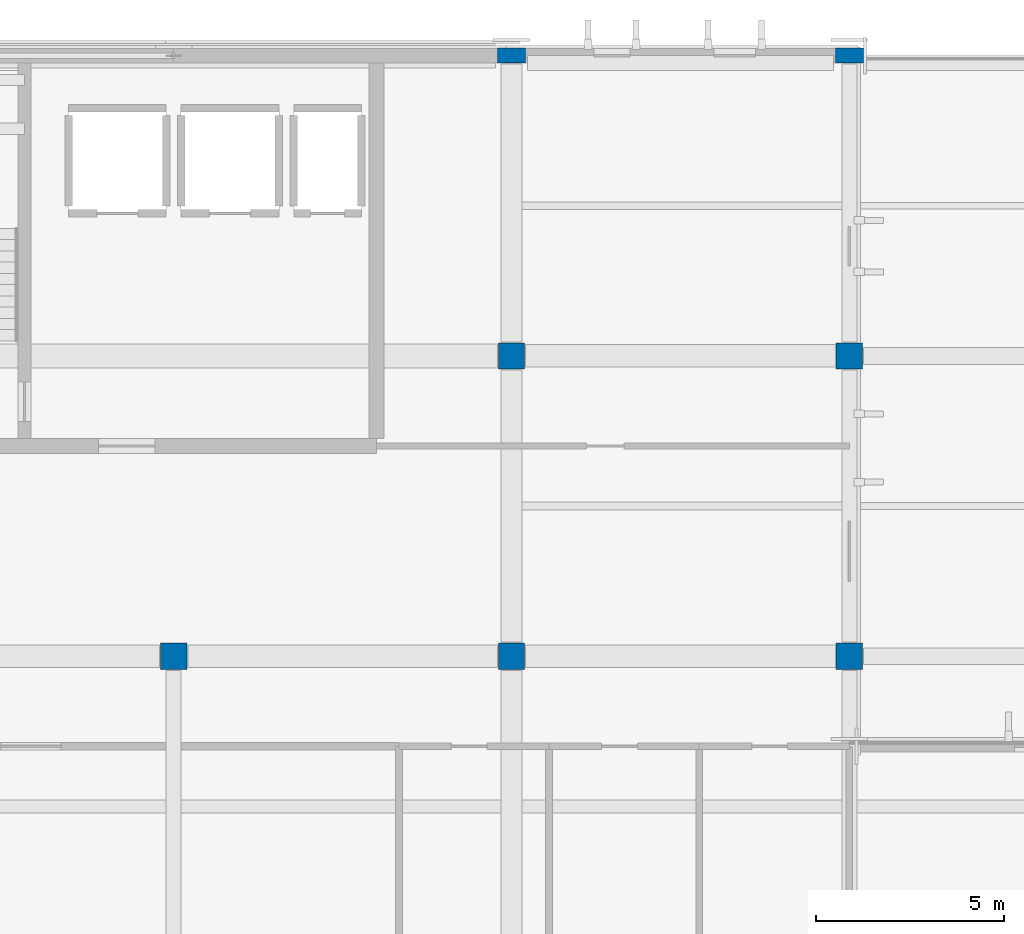
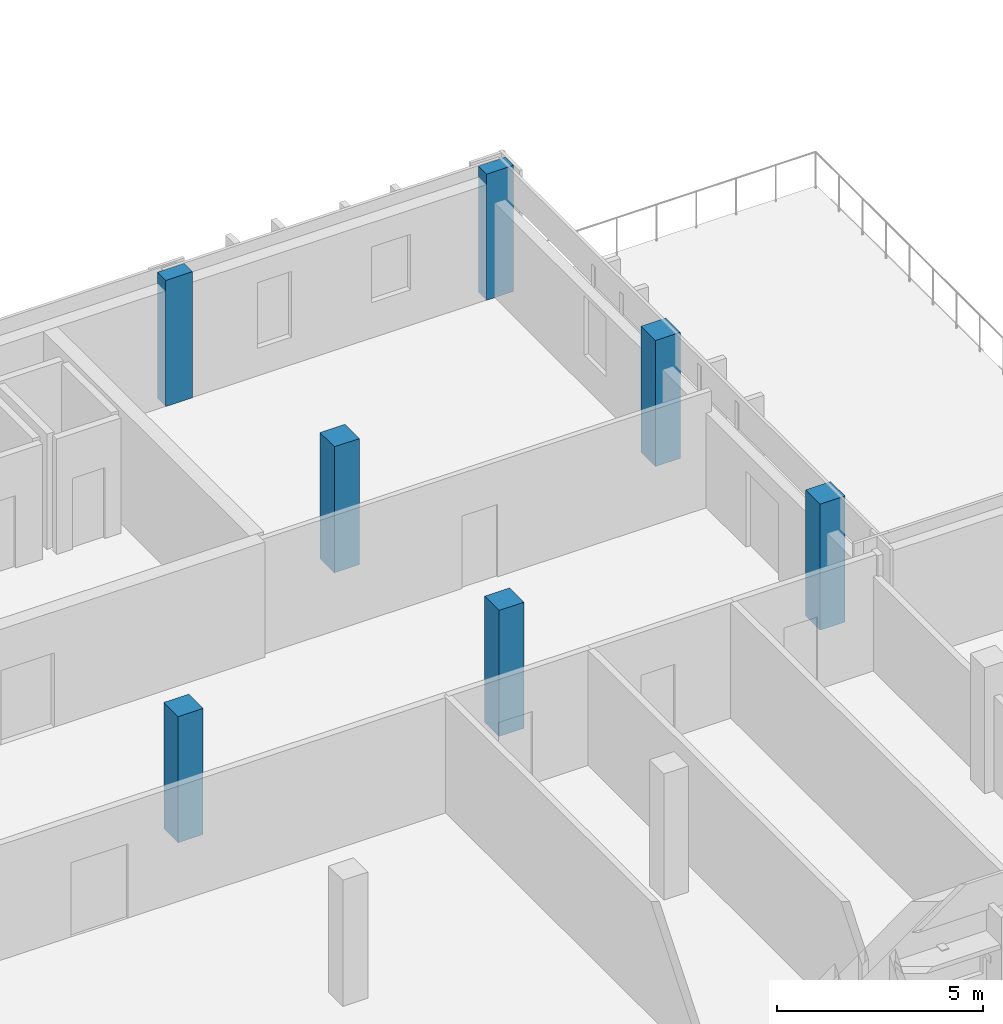
# One storey, part 7 of 73: 7 columns.
"""IFC4 building model written with IfcOpenShell, lengths in metres."""

from ifc_helpers import new_model, si_unit, direction, frame, origin, origin_2d, place, context, subcontext, project, spatial, rectangle, extrude, material, material_profile, profile_set, type_object, element, save


model = new_model("IFC4")

# Units and contexts
model_context = context("Model", 3, precision=1e-05, world=origin(), true_north=direction((0.0, 1.0)))
body_context = subcontext(model_context, "Body", "Model", "MODEL_VIEW")
ifc_project = project(units=[si_unit("LENGTHUNIT", "METRE"), si_unit("AREAUNIT", "SQUARE_METRE"), si_unit("VOLUMEUNIT", "CUBIC_METRE"), si_unit("PLANEANGLEUNIT", "RADIAN"), si_unit("MASSUNIT", "GRAM", prefix="KILO")], contexts=[model_context])

# Site, building, storey
site_placement = place(None, origin())
site = spatial("IfcSite", under=ifc_project, at=site_placement, CompositionType="ELEMENT")
building_placement = place(site_placement, origin())
building = spatial("IfcBuilding", under=site, at=building_placement, Name="Vervanel Yard Central Library", CompositionType="ELEMENT")
storey_placement = place(building_placement, frame((0.0, 0.0, 12.780029296875)))
storey = spatial("IfcBuildingStorey", under=building, at=storey_placement, Name="L03", CompositionType="ELEMENT", Elevation=12.780029296875)

# Columns
ifc_material = material(Name="Concrete C40/50", Category="concrete")
ifc_material_profile_1 = material_profile(ifc_material, rectangle(XDim=0.699951171875, YDim=0.699951171875, at=origin_2d()), Name="RC 700x700", Category="concrete")
ifc_profile_set_1 = profile_set([ifc_material_profile_1], Name="Concrete C40/50")
column_type_1 = type_object("IfcColumnType", Name="Concrete Column 700x700", PredefinedType="COLUMN", material=ifc_profile_set_1)
for number, where, z_axis, x_axis, name in (
    (1, (72.0, 98.0, 0.0), (0.0, 0.0, 1.0), (1.0, 0.0, 0.0), "L03 Concrete Column 700x700 (72.0, 98.0)"),
    (2, (81.0, 98.0, 0.0), (0.0, 0.0, 1.0), (1.0, 0.0, 0.0), "L03 Concrete Column 700x700 (81.0, 98.0)"),
    (3, (81.0, 106.0, 0.0), (0.0, 0.0, 1.0), (1.0, 0.0, 0.0), "L03 Concrete Column 700x700 (81.0, 106.0)"),
    (4, (90.0, 98.0, 0.0), (0.0, 0.0, 1.0), (1.0, 0.0, 0.0), "L03 Concrete Column 700x700 (90.0, 98.0)"),
    (5, (90.0, 106.0, 0.0), (0.0, 0.0, 1.0), (1.0, 0.0, 0.0), "L03 Concrete Column 700x700 (90.0, 106.0)"),
):
    element("IfcColumn", number, at=place(storey_placement, frame(where, z_axis=z_axis, x_axis=x_axis)), inside=storey, type_object=column_type_1, Name=name, PredefinedType="COLUMN", context=body_context, shape_type="SweptSolid", body=[
        extrude(rectangle(XDim=0.699951171875, YDim=0.699951171875, at=origin_2d()), origin(), (0.0, 0.0, 1.0), 3.739990234375),
    ])
ifc_material_profile_2 = material_profile(ifc_material, rectangle(XDim=0.39990234375, YDim=0.75, at=origin_2d()), Name="RC 400x750", Category="concrete")
ifc_profile_set_2 = profile_set([ifc_material_profile_2], Name="Concrete C40/50")
column_type_2 = type_object("IfcColumnType", Name="Perimeter Blade Column 400x750", PredefinedType="COLUMN", material=ifc_profile_set_2)
for number, where, z_axis, x_axis, name in (
    (6, (81.0, 114.0, 0.0), (0.0, 0.0, 1.0), (0.0, 1.0, 0.0), "L03 Perimeter Blade Column 400x750 (81.0, 114.0)"),
    (7, (90.0, 114.0, 0.0), (0.0, 0.0, 1.0), (0.0, 1.0, 0.0), "L03 Perimeter Blade Column 400x750 (90.0, 114.0)"),
):
    element("IfcColumn", number, at=place(storey_placement, frame(where, z_axis=z_axis, x_axis=x_axis)), inside=storey, type_object=column_type_2, Name=name, PredefinedType="COLUMN", context=body_context, shape_type="SweptSolid", body=[
        extrude(rectangle(XDim=0.39990234375, YDim=0.75, at=origin_2d()), origin(), (0.0, 0.0, 1.0), 3.739990234375),
    ])

save(model, "model.ifc")
